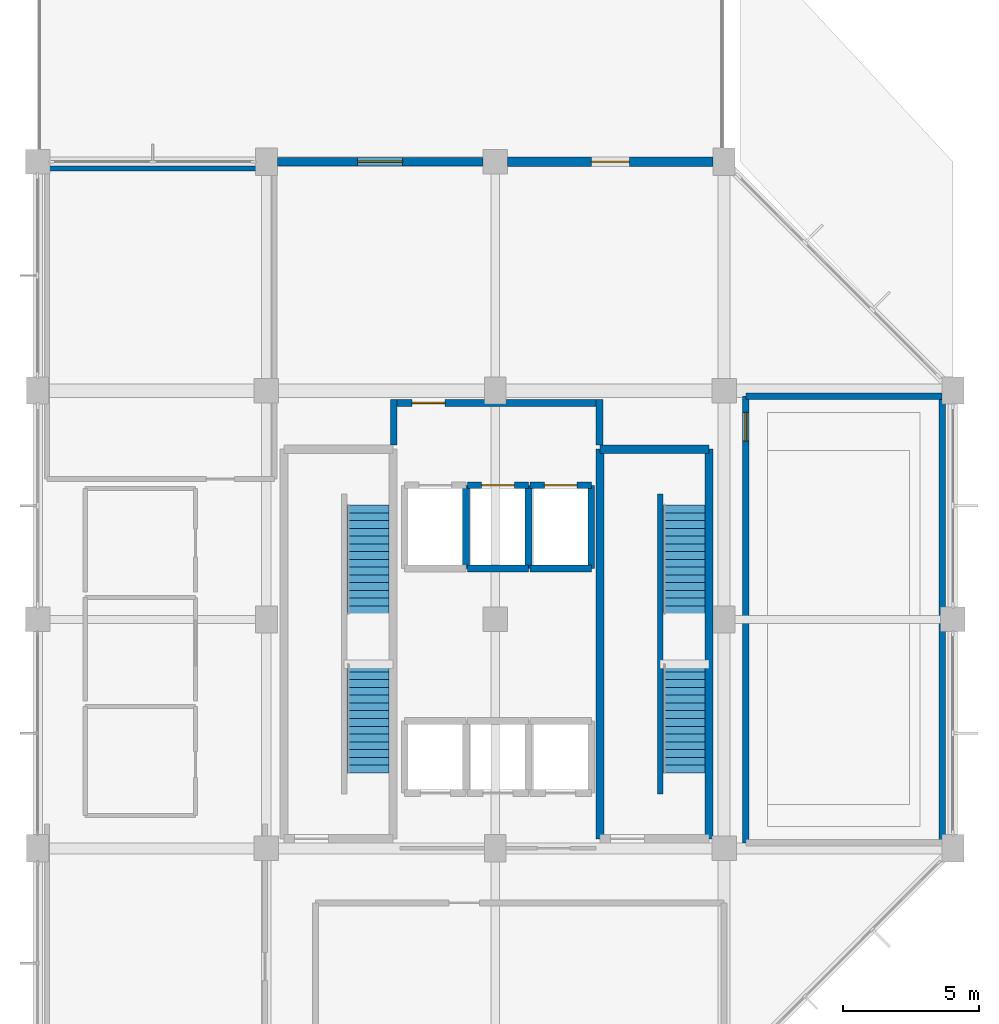
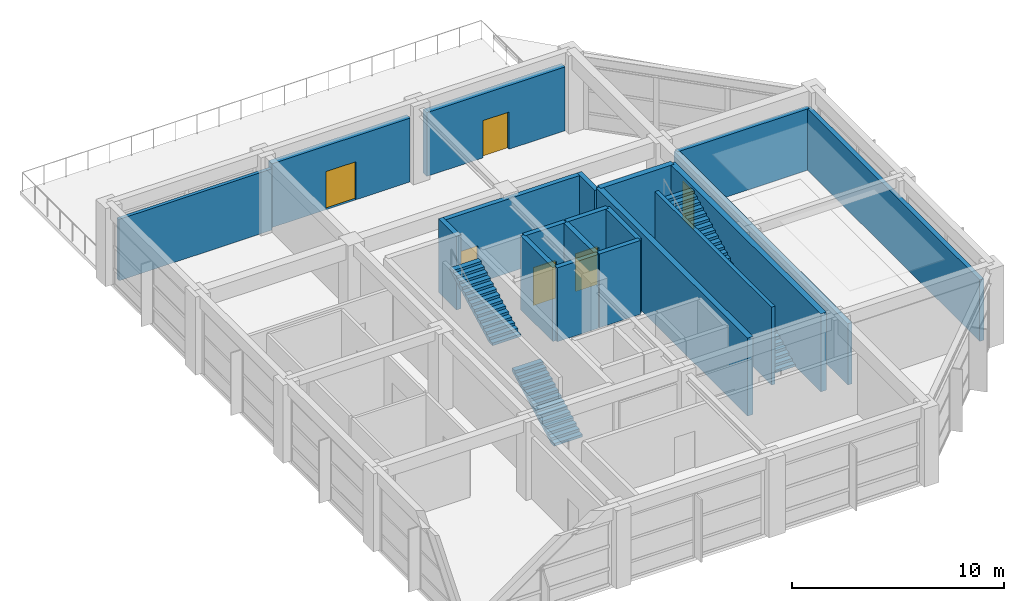
# One storey, part 9 of 10: 20 walls, 6 doors, 4 stair flights, 6 openings, 2 elements without a shape of their own.
"""IFC4 building model written with IfcOpenShell, lengths in metres."""

from ifc_helpers import new_model, si_unit, direction, frame, frame_2d, origin, place, context, subcontext, project, spatial, polyline, rectangle, outline, extrude, material, layer, layer_set, type_object, element, fill, aggregate, save


model = new_model("IFC4")

# Units and contexts
model_context = context("Model", 3, precision=1e-05, world=origin(), true_north=direction((0.0, 1.0)))
body_context = subcontext(model_context, "Body", "Model", "MODEL_VIEW")
ifc_project = project(units=[si_unit("LENGTHUNIT", "METRE"), si_unit("AREAUNIT", "SQUARE_METRE"), si_unit("VOLUMEUNIT", "CUBIC_METRE"), si_unit("PLANEANGLEUNIT", "RADIAN"), si_unit("MASSUNIT", "GRAM", prefix="KILO")], contexts=[model_context])

# Site, building, storey
site_placement = place(None, origin())
site = spatial("IfcSite", under=ifc_project, at=site_placement, CompositionType="ELEMENT")
building_placement = place(site_placement, origin())
building = spatial("IfcBuilding", under=site, at=building_placement, Name="Xuanlan Plaza Opera House", CompositionType="ELEMENT")
storey_placement = place(building_placement, frame((0.0, 0.0, 69.89990234375)))
storey = spatial("IfcBuildingStorey", under=building, at=storey_placement, Name="L16", CompositionType="ELEMENT", Elevation=69.89990234375)

# Wall, opening, door
ifc_material_1 = material(Name="Anodised Aluminium 6063-T6 and Rockwool Cladding", Category="aluminium")
ifc_layer_1 = layer(ifc_material_1, 0.340087890625)
ifc_layer_set_1 = layer_set([ifc_layer_1], Name="Anodised Aluminium 6063-T6 and Rockwool Cladding")
wall_type_1 = type_object("IfcWallType", Name="ENV-WL-EW-02", PredefinedType="STANDARD", material=ifc_layer_set_1)
wall_1_placement = place(storey_placement, frame((150.800048828125, 75.60009765625, 0.0), z_axis=(0.0, 0.0, 1.0), x_axis=(-1.0, 0.0, 0.0)))
wall_1 = element("IfcWall", 1, at=wall_1_placement, inside=storey, type_object=wall_type_1, Name="Exterior Wall L16-008", PredefinedType="STANDARD", context=body_context, shape_type="SweptSolid", body=[
    extrude(rectangle(XDim=7.550048828125, YDim=0.340087890625, at=frame_2d((3.77490234375, 0.0))), origin(), (0.0, 0.0, 1.0), 3.68017578125),
])
opening_1_placement = place(wall_1_placement, frame((3.074951171875, 0.0, 0.0)))
opening_1 = element("IfcOpeningElement", 2, at=opening_1_placement, cuts=wall_1, Name="Opening TD-03", PredefinedType="OPENING", context=body_context, shape_type="SweptSolid", body=[
    extrude(rectangle(XDim=1.39990234375, YDim=2.14990234375, at=frame_2d((0.699951171875, 1.074951171875))), frame((0.0, 0.179931640625, 0.0), z_axis=(0.0, -1.0, 0.0), x_axis=(1.0, 0.0, 0.0)), (0.0, 0.0, 1.0), 0.360107421875),
])
ifc_material_2 = material(Name="Anodised Aluminium 6063-T6 and Laminated Safety Glass", Category="aluminium")
door_type_1 = type_object("IfcDoorType", Name="ENV-DR-TD-03", OperationType="DOUBLE_DOOR_SINGLE_SWING", PredefinedType="DOOR", material=ifc_material_2)
door_1_placement = place(opening_1_placement, frame((1.39990234375, 0.0, 0.0), z_axis=(0.0, 0.0, 1.0), x_axis=(-1.0, 0.0, 0.0)))
door_1 = element("IfcDoor", 3, at=door_1_placement, inside=storey, type_object=door_type_1, Name="Terrace Access Door TERR-L16-08", OperationType="DOUBLE_DOOR_SINGLE_SWING", OverallHeight=2.14990234375, OverallWidth=1.39990234375, PredefinedType="DOOR", context=body_context, shape_type="SweptSolid", body=[
    extrude(rectangle(XDim=1.39990234375, YDim=2.14990234375, at=frame_2d((0.699951171875, 1.074951171875))), frame((0.0, 0.02490234375, 0.0), z_axis=(0.0, -1.0, 0.0), x_axis=(1.0, 0.0, 0.0)), (0.0, 0.0, 1.0), 0.050048828125),
])
fill(opening_1, door_1)

ifc_layer_2 = layer(ifc_material_1, 0.320068359375)
ifc_layer_set_2 = layer_set([ifc_layer_2], Name="Anodised Aluminium 6063-T6 and Rockwool Cladding")
wall_type_2 = type_object("IfcWallType", Name="ENV-WL-EW-03", PredefinedType="STANDARD", material=ifc_layer_set_2)
wall_2_placement = place(storey_placement, frame((142.35009765625, 75.60009765625, 0.0), z_axis=(0.0, 0.0, 1.0), x_axis=(-1.0, 0.0, 0.0)))
wall_2 = element("IfcWall", 4, at=wall_2_placement, inside=storey, type_object=wall_type_2, Name="Exterior Wall L16-009", PredefinedType="STANDARD", context=body_context, shape_type="SweptSolid", body=[
    extrude(rectangle(XDim=7.550048828125, YDim=0.320068359375, at=frame_2d((3.77490234375, 0.0))), origin(), (0.0, 0.0, 1.0), 3.68017578125),
])
opening_2_placement = place(wall_2_placement, frame((2.949951171875, 0.0, 0.0)))
opening_2 = element("IfcOpeningElement", 5, at=opening_2_placement, cuts=wall_2, Name="Opening TD-01", PredefinedType="OPENING", context=body_context, shape_type="SweptSolid", body=[
    extrude(rectangle(XDim=1.64990234375, YDim=2.199951171875, at=frame_2d((0.824951171875, 1.10009765625))), frame((0.0, 0.169921875, 0.0), z_axis=(0.0, -1.0, 0.0), x_axis=(1.0, 0.0, 0.0)), (0.0, 0.0, 1.0), 0.340087890625),
])
door_type_2 = type_object("IfcDoorType", Name="ENV-DR-TD-01", OperationType="DOUBLE_DOOR_SINGLE_SWING", PredefinedType="DOOR", material=ifc_material_2)
door_2_placement = place(opening_2_placement, frame((1.64990234375, 0.0, 0.0), z_axis=(0.0, 0.0, 1.0), x_axis=(-1.0, 0.0, 0.0)))
door_2 = element("IfcDoor", 6, at=door_2_placement, inside=storey, type_object=door_type_2, Name="Terrace Access Door TERR-L16-09", OperationType="DOUBLE_DOOR_SINGLE_SWING", OverallHeight=2.199951171875, OverallWidth=1.64990234375, PredefinedType="DOOR", context=body_context, shape_type="SweptSolid", body=[
    extrude(rectangle(XDim=1.64990234375, YDim=2.199951171875, at=frame_2d((0.824951171875, 1.10009765625))), frame((0.0, 0.02490234375, 0.0), z_axis=(0.0, -1.0, 0.0), x_axis=(1.0, 0.0, 0.0)), (0.0, 0.0, 1.0), 0.050048828125),
])
fill(opening_2, door_2)

# Wall
ifc_material_3 = material(Name="Gypsum Board and Galvanised Steel Studs", Category="gypsum")
ifc_layer_3 = layer(ifc_material_3, 0.239990234375)
ifc_layer_set_3 = layer_set([ifc_layer_3], Name="Gypsum Board and Galvanised Steel Studs")
wall_type_3 = type_object("IfcWallType", Name="INT-WL-PW-01", PredefinedType="PARTITIONING", material=ifc_layer_set_3)
wall_3_placement = place(storey_placement, frame((152.0, 67.0, 0.0), z_axis=(0.0, 0.0, 1.0), x_axis=(1.0, 0.0, 0.0)))
element("IfcWall", 7, at=wall_3_placement, inside=storey, type_object=wall_type_3, Name="Overture Chamber Salon Wall North", PredefinedType="PARTITIONING", context=body_context, shape_type="SweptSolid", body=[
    extrude(rectangle(XDim=7.199951171875, YDim=0.239990234375, at=frame_2d((3.60009765625, 0.0))), origin(), (0.0, 0.0, 1.0), 3.5400390625),
])

# Wall, opening, door
wall_4_placement = place(storey_placement, frame((152.0, 50.60009765625, 0.0), z_axis=(0.0, 0.0, 1.0), x_axis=(0.0, 1.0, 0.0)))
wall_4 = element("IfcWall", 8, at=wall_4_placement, inside=storey, type_object=wall_type_3, Name="Overture Chamber Salon Wall West", PredefinedType="PARTITIONING", context=body_context, shape_type="SweptSolid", body=[
    extrude(rectangle(XDim=16.39990234375, YDim=0.239990234375, at=frame_2d((8.199951171875, 0.0))), origin(), (0.0, 0.0, 1.0), 3.5400390625),
])
opening_3_placement = place(wall_4_placement, frame((14.75, 0.0, 0.0)))
opening_3 = element("IfcOpeningElement", 9, at=opening_3_placement, cuts=wall_4, Name="Opening D-16", PredefinedType="OPENING", context=body_context, shape_type="SweptSolid", body=[
    extrude(rectangle(XDim=1.050048828125, YDim=2.159912109375, at=frame_2d((0.52490234375, 1.080078125))), frame((0.0, 0.1298828125, 0.0), z_axis=(0.0, -1.0, 0.0), x_axis=(1.0, 0.0, 0.0)), (0.0, 0.0, 1.0), 0.260009765625),
])
ifc_material_4 = material(Name="Oak Hardwood Timber", Category="wood")
door_type_3 = type_object("IfcDoorType", Name="INT-DR-D-16", OperationType="NOTDEFINED", PredefinedType="DOOR", material=ifc_material_4)
door_3_placement = place(opening_3_placement, origin())
door_3 = element("IfcDoor", 10, at=door_3_placement, inside=storey, type_object=door_type_3, Name="Overture Chamber Salon Door 1", OperationType="SINGLE_SWING_RIGHT", OverallHeight=2.159912109375, OverallWidth=1.050048828125, PredefinedType="DOOR", context=body_context, shape_type="SweptSolid", body=[
    extrude(rectangle(XDim=1.050048828125, YDim=2.159912109375, at=frame_2d((0.52490234375, 1.080078125))), frame((0.0, 0.02490234375, 0.0), z_axis=(0.0, -1.0, 0.0), x_axis=(1.0, 0.0, 0.0)), (0.0, 0.0, 1.0), 0.050048828125),
])
fill(opening_3, door_3)

# Walls
wall_5_placement = place(storey_placement, frame((159.199951171875, 50.60009765625, 0.0), z_axis=(0.0, 0.0, 1.0), x_axis=(0.0, 1.0, 0.0)))
element("IfcWall", 11, at=wall_5_placement, inside=storey, type_object=wall_type_3, Name="Overture Chamber Salon Wall East", PredefinedType="PARTITIONING", context=body_context, shape_type="SweptSolid", body=[
    extrude(rectangle(XDim=16.39990234375, YDim=0.239990234375, at=frame_2d((8.199951171875, 0.0))), origin(), (0.0, 0.0, 1.0), 3.5400390625),
])
ifc_layer_4 = layer(ifc_material_3, 0.179931640625)
ifc_layer_set_4 = layer_set([ifc_layer_4], Name="Gypsum Board and Galvanised Steel Studs")
wall_type_4 = type_object("IfcWallType", Name="INT-WL-PW-02", PredefinedType="PARTITIONING", material=ifc_layer_set_4)
wall_6_placement = place(storey_placement, frame((126.35009765625, 75.35009765625, 0.0), z_axis=(0.0, 0.0, 1.0), x_axis=(1.0, 0.0, 0.0)))
element("IfcWall", 12, at=wall_6_placement, inside=storey, type_object=wall_type_4, Name="Crown Artist Green Studio Wall North", PredefinedType="PARTITIONING", context=body_context, shape_type="SweptSolid", body=[
    extrude(rectangle(XDim=8.349853515625, YDim=0.179931640625, at=frame_2d((4.1748046875, 0.0))), origin(), (0.0, 0.0, 1.0), 3.5400390625),
])
ifc_material_5 = material(Name="Concrete C40", Category="concrete")
ifc_layer_5 = layer(ifc_material_5, 0.25)
ifc_layer_set_5 = layer_set([ifc_layer_5], Name="Concrete C40")
wall_type_5 = type_object("IfcWallType", Name="INT-WL-SW-LF1", PredefinedType="SHEAR", material=ifc_layer_set_5)
wall_7_placement = place(storey_placement, frame((141.72509765625, 60.675048828125, 0.0), z_axis=(0.0, 0.0, 1.0), x_axis=(0.0, 1.0, 0.0)))
element("IfcWall", 13, at=wall_7_placement, inside=storey, type_object=wall_type_5, Name="Lift Shaft Wall LF-FF1 L16 East", PredefinedType="SHEAR", context=body_context, shape_type="SweptSolid", body=[
    extrude(rectangle(XDim=3.050048828125, YDim=0.25, at=frame_2d((1.52490234375, 0.0))), origin(), (0.0, 0.0, 1.0), 4.260009765625),
])
wall_8_placement = place(storey_placement, frame((141.77490234375, 60.675048828125, 0.0), z_axis=(0.0, 0.0, 1.0), x_axis=(1.0, 0.0, 0.0)))
element("IfcWall", 14, at=wall_8_placement, inside=storey, type_object=wall_type_5, Name="Lift Shaft Wall LF-FF2 L16 South", PredefinedType="SHEAR", context=body_context, shape_type="SweptSolid", body=[
    extrude(rectangle(XDim=2.25, YDim=0.25, at=frame_2d((1.125, 0.0))), origin(), (0.0, 0.0, 1.0), 4.260009765625),
])

# Wall, opening, door
wall_9_placement = place(storey_placement, frame((141.77490234375, 63.72509765625, 0.0), z_axis=(0.0, 0.0, 1.0), x_axis=(1.0, 0.0, 0.0)))
wall_9 = element("IfcWall", 15, at=wall_9_placement, inside=storey, type_object=wall_type_5, Name="Lift Shaft Wall LF-FF2 L16 North", PredefinedType="SHEAR", context=body_context, shape_type="SweptSolid", body=[
    extrude(rectangle(XDim=2.25, YDim=0.25, at=frame_2d((1.125, 0.0))), origin(), (0.0, 0.0, 1.0), 4.260009765625),
])
opening_4_placement = place(wall_9_placement, frame((0.52490234375, 0.0, 0.0)))
opening_4 = element("IfcOpeningElement", 16, at=opening_4_placement, cuts=wall_9, Name="Opening LD-FF2-L16", PredefinedType="OPENING", context=body_context, shape_type="SweptSolid", body=[
    extrude(rectangle(XDim=1.199951171875, YDim=2.179931640625, at=frame_2d((0.60009765625, 1.08984375))), frame((0.0, 0.135009765625, 0.0), z_axis=(0.0, -1.0, 0.0), x_axis=(1.0, 0.0, 0.0)), (0.0, 0.0, 1.0), 0.27001953125),
])
ifc_material_6 = material(Name="Stainless Steel S30408", Category="steel")
door_type_4 = type_object("IfcDoorType", Name="INT-DR-LD-02", OperationType="DOUBLE_DOOR_SLIDING", PredefinedType="DOOR", material=ifc_material_6)
door_4_placement = place(opening_4_placement, origin())
door_4 = element("IfcDoor", 17, at=door_4_placement, inside=storey, type_object=door_type_4, Name="Lift Sliding Landing Door LF-FF2 L16", OperationType="DOUBLE_DOOR_SLIDING", OverallHeight=2.179931640625, OverallWidth=1.199951171875, PredefinedType="DOOR", context=body_context, shape_type="SweptSolid", body=[
    extrude(rectangle(XDim=1.199951171875, YDim=2.179931640625, at=frame_2d((0.60009765625, 1.08984375))), frame((0.0, 0.02490234375, 0.0), z_axis=(0.0, -1.0, 0.0), x_axis=(1.0, 0.0, 0.0)), (0.0, 0.0, 1.0), 0.050048828125),
])
fill(opening_4, door_4)

# Walls
wall_10_placement = place(storey_placement, frame((144.02490234375, 60.675048828125, 0.0), z_axis=(0.0, 0.0, 1.0), x_axis=(0.0, 1.0, 0.0)))
element("IfcWall", 18, at=wall_10_placement, inside=storey, type_object=wall_type_5, Name="Lift Shaft Wall LF-FF2 L16 East", PredefinedType="SHEAR", context=body_context, shape_type="SweptSolid", body=[
    extrude(rectangle(XDim=3.050048828125, YDim=0.25, at=frame_2d((1.52490234375, 0.0))), origin(), (0.0, 0.0, 1.0), 4.260009765625),
])
wall_11_placement = place(storey_placement, frame((144.074951171875, 60.675048828125, 0.0), z_axis=(0.0, 0.0, 1.0), x_axis=(1.0, 0.0, 0.0)))
element("IfcWall", 19, at=wall_11_placement, inside=storey, type_object=wall_type_5, Name="Lift Shaft Wall LF-FF3 L16 South", PredefinedType="SHEAR", context=body_context, shape_type="SweptSolid", body=[
    extrude(rectangle(XDim=2.25, YDim=0.25, at=frame_2d((1.125, 0.0))), origin(), (0.0, 0.0, 1.0), 4.260009765625),
])

# Wall, opening, door
wall_12_placement = place(storey_placement, frame((144.074951171875, 63.72509765625, 0.0), z_axis=(0.0, 0.0, 1.0), x_axis=(1.0, 0.0, 0.0)))
wall_12 = element("IfcWall", 20, at=wall_12_placement, inside=storey, type_object=wall_type_5, Name="Lift Shaft Wall LF-FF3 L16 North", PredefinedType="SHEAR", context=body_context, shape_type="SweptSolid", body=[
    extrude(rectangle(XDim=2.25, YDim=0.25, at=frame_2d((1.125, 0.0))), origin(), (0.0, 0.0, 1.0), 4.260009765625),
])
opening_5_placement = place(wall_12_placement, frame((0.52490234375, 0.0, 0.0)))
opening_5 = element("IfcOpeningElement", 21, at=opening_5_placement, cuts=wall_12, Name="Opening LD-FF3-L16", PredefinedType="OPENING", context=body_context, shape_type="SweptSolid", body=[
    extrude(rectangle(XDim=1.199951171875, YDim=2.179931640625, at=frame_2d((0.60009765625, 1.08984375))), frame((0.0, 0.135009765625, 0.0), z_axis=(0.0, -1.0, 0.0), x_axis=(1.0, 0.0, 0.0)), (0.0, 0.0, 1.0), 0.27001953125),
])
door_5_placement = place(opening_5_placement, origin())
door_5 = element("IfcDoor", 22, at=door_5_placement, inside=storey, type_object=door_type_4, Name="Lift Sliding Landing Door LF-FF3 L16", OperationType="DOUBLE_DOOR_SLIDING", OverallHeight=2.179931640625, OverallWidth=1.199951171875, PredefinedType="DOOR", context=body_context, shape_type="SweptSolid", body=[
    extrude(rectangle(XDim=1.199951171875, YDim=2.179931640625, at=frame_2d((0.60009765625, 1.08984375))), frame((0.0, 0.02490234375, 0.0), z_axis=(0.0, -1.0, 0.0), x_axis=(1.0, 0.0, 0.0)), (0.0, 0.0, 1.0), 0.050048828125),
])
fill(opening_5, door_5)

# Walls
wall_13_placement = place(storey_placement, frame((146.324951171875, 60.675048828125, 0.0), z_axis=(0.0, 0.0, 1.0), x_axis=(0.0, 1.0, 0.0)))
element("IfcWall", 23, at=wall_13_placement, inside=storey, type_object=wall_type_5, Name="Lift Shaft Wall LF-FF3 L16 East", PredefinedType="SHEAR", context=body_context, shape_type="SweptSolid", body=[
    extrude(rectangle(XDim=3.050048828125, YDim=0.25, at=frame_2d((1.52490234375, 0.0))), origin(), (0.0, 0.0, 1.0), 4.260009765625),
])
for number, where, z_axis, x_axis, name in (
    (24, (139.074951171875, 65.199951171875, 0.0), (0.0, 0.0, 1.0), (0.0, 1.0, 0.0), "Firefighting Lift Lobby Enclosure Wall L16 W"),
    (25, (146.625, 65.199951171875, 0.0), (0.0, 0.0, 1.0), (0.0, 1.0, 0.0), "Firefighting Lift Lobby Enclosure Wall L16 E"),
):
    element("IfcWall", number, at=place(storey_placement, frame(where, z_axis=z_axis, x_axis=x_axis)), inside=storey, type_object=wall_type_5, Name=name, PredefinedType="SHEAR", context=body_context, shape_type="SweptSolid", body=[
        extrude(rectangle(XDim=1.675048828125, YDim=0.25, at=frame_2d((0.83740234375, 0.0))), origin(), (0.0, 0.0, 1.0), 4.260009765625),
    ])

# Wall, opening, door
wall_14_placement = place(storey_placement, frame((139.199951171875, 66.75, 0.0), z_axis=(0.0, 0.0, 1.0), x_axis=(1.0, 0.0, 0.0)))
wall_14 = element("IfcWall", 26, at=wall_14_placement, inside=storey, type_object=wall_type_5, Name="Firefighting Lift Lobby Wall North", PredefinedType="SHEAR", context=body_context, shape_type="SweptSolid", body=[
    extrude(rectangle(XDim=7.300048828125, YDim=0.25, at=frame_2d((3.64990234375, 0.0))), origin(), (0.0, 0.0, 1.0), 4.260009765625),
])
opening_6_placement = place(wall_14_placement, frame((0.550048828125, 0.0, 0.0)))
opening_6 = element("IfcOpeningElement", 27, at=opening_6_placement, cuts=wall_14, Name="Opening FD-02", PredefinedType="OPENING", context=body_context, shape_type="SweptSolid", body=[
    extrude(rectangle(XDim=1.199951171875, YDim=2.14990234375, at=frame_2d((0.60009765625, 1.074951171875))), frame((0.0, 0.135009765625, 0.0), z_axis=(0.0, -1.0, 0.0), x_axis=(1.0, 0.0, 0.0)), (0.0, 0.0, 1.0), 0.27001953125),
])
ifc_material_7 = material(Name="Galvanised Steel Q235B", Category="steel")
door_type_5 = type_object("IfcDoorType", Name="INT-DR-FD-02", OperationType="NOTDEFINED", PredefinedType="DOOR", material=ifc_material_7)
door_6_placement = place(opening_6_placement, origin())
door_6 = element("IfcDoor", 28, at=door_6_placement, inside=storey, type_object=door_type_5, Name="Firefighting Lift Lobby Door 1", OperationType="SINGLE_SWING_RIGHT", OverallHeight=2.14990234375, OverallWidth=1.199951171875, PredefinedType="DOOR", context=body_context, shape_type="SweptSolid", body=[
    extrude(rectangle(XDim=1.199951171875, YDim=2.14990234375, at=frame_2d((0.60009765625, 1.074951171875))), frame((0.0, 0.02490234375, 0.0), z_axis=(0.0, -1.0, 0.0), x_axis=(1.0, 0.0, 0.0)), (0.0, 0.0, 1.0), 0.050048828125),
])
fill(opening_6, door_6)

# Walls
ifc_layer_6 = layer(ifc_material_5, 0.199951171875)
ifc_layer_set_6 = layer_set([ifc_layer_6], Name="Concrete C40")
wall_type_6 = type_object("IfcWallType", Name="INT-WL-SW-SPN", PredefinedType="SHEAR", material=ifc_layer_set_6)
wall_15_placement = place(storey_placement, frame((148.85009765625, 52.39990234375, 0.0), z_axis=(0.0, 0.0, 1.0), x_axis=(0.0, 1.0, 0.0)))
element("IfcWall", 29, at=wall_15_placement, inside=storey, type_object=wall_type_6, Name="Stair Structural Spine Wall ST-T2 L16", PredefinedType="SHEAR", context=body_context, shape_type="SweptSolid", body=[
    extrude(rectangle(XDim=11.0, YDim=0.199951171875, at=frame_2d((5.5, 0.0))), origin(), (0.0, 0.0, 1.0), 4.5),
])
ifc_layer_7 = layer(ifc_material_5, 0.300048828125)
ifc_layer_set_7 = layer_set([ifc_layer_7], Name="Concrete C40")
wall_type_7 = type_object("IfcWallType", Name="INT-WL-SW-ST1", PredefinedType="SHEAR", material=ifc_layer_set_7)
wall_16_placement = place(storey_placement, frame((146.64990234375, 65.050048828125, 0.0), z_axis=(0.0, 0.0, 1.0), x_axis=(1.0, 0.0, 0.0)))
element("IfcWall", 30, at=wall_16_placement, inside=storey, type_object=wall_type_7, Name="Stair Core Wall ST-T2 L16 North", PredefinedType="SHEAR", context=body_context, shape_type="SweptSolid", body=[
    extrude(rectangle(XDim=4.0, YDim=0.300048828125, at=frame_2d((2.0, 0.0))), origin(), (0.0, 0.0, 1.0), 4.5),
])
for number, where, z_axis, x_axis, name in (
    (31, (146.64990234375, 50.75, 0.0), (0.0, 0.0, 1.0), (0.0, 1.0, 0.0), "Stair Core Wall ST-T2 L16 West"),
    (32, (150.64990234375, 50.75, 0.0), (0.0, 0.0, 1.0), (0.0, 1.0, 0.0), "Stair Core Wall ST-T2 L16 East"),
):
    element("IfcWall", number, at=place(storey_placement, frame(where, z_axis=z_axis, x_axis=x_axis)), inside=storey, type_object=wall_type_7, Name=name, PredefinedType="SHEAR", context=body_context, shape_type="SweptSolid", body=[
        extrude(rectangle(XDim=14.300048828125, YDim=0.300048828125, at=frame_2d((7.14990234375, 0.0))), origin(), (0.0, 0.0, 1.0), 4.5),
    ])

# Stair, stair flights
stair_type = type_object("IfcStairType", Name="INT-ST-STR-T155", PredefinedType="STRAIGHT_RUN_STAIR", material=ifc_material_5)
stair_1_placement = place(storey_placement, origin())
stair_1 = element("IfcStair", 33, at=stair_1_placement, inside=storey, type_object=stair_type, Name="Protected Exit Stair ST-T1 L16", PredefinedType="STRAIGHT_RUN_STAIR")
ifc_layer_8 = layer(ifc_material_5, 0.159912109375)
ifc_layer_set_8 = layer_set([ifc_layer_8], Name="Concrete C40")
stair_flight_type = type_object("IfcStairFlightType", Name="INT-FL-FL-155", PredefinedType="STRAIGHT", material=ifc_layer_set_8)
stair_flight_1_placement = place(storey_placement, frame((138.125, 53.169921875, 0.0), z_axis=(0.0, 0.0, 1.0), x_axis=(0.0, 1.0, 0.0)))
stair_flight_1 = element("IfcStairFlight", 34, at=stair_flight_1_placement, type_object=stair_flight_type, Name="ST-T1-L16 flight 1", NumberOfRisers=15, NumberOfTreads=14, PredefinedType="STRAIGHT", RiserHeight=0.15, TreadLength=0.285, context=body_context, shape_type="SweptSolid", body=[
    extrude(outline(polyline([(0.0, 0.0), (0.0, 0.14990234375), (0.284912109375, 0.14990234375), (0.284912109375, 0.300048828125), (0.570068359375, 0.300048828125), (0.570068359375, 0.449951171875), (0.85498046875, 0.449951171875), (0.85498046875, 0.60009765625), (1.139892578125, 0.60009765625), (1.139892578125, 0.75), (1.425048828125, 0.75), (1.425048828125, 0.89990234375), (1.7099609375, 0.89990234375), (1.7099609375, 1.050048828125), (1.9951171875, 1.050048828125), (1.9951171875, 1.199951171875), (2.280029296875, 1.199951171875), (2.280029296875, 1.35009765625), (2.56494140625, 1.35009765625), (2.56494140625, 1.5), (2.85009765625, 1.5), (2.85009765625, 1.64990234375), (3.135009765625, 1.64990234375), (3.135009765625, 1.800048828125), (3.419921875, 1.800048828125), (3.419921875, 1.949951171875), (3.705078125, 1.949951171875), (3.705078125, 2.10009765625), (3.989990234375, 2.10009765625), (3.989990234375, 2.25), (3.989990234375, 1.919189453125), (0.34326171875, 0.0), (0.0, 0.0)])), frame((0.0, 0.77490234375, 0.0), z_axis=(0.0, -1.0, 0.0), x_axis=(1.0, 0.0, 0.0)), (0.0, 0.0, 1.0), 1.550048828125),
])
stair_flight_2_placement = place(storey_placement, frame((138.125, 59.010009765625, 2.25), z_axis=(0.0, 0.0, 1.0), x_axis=(0.0, 1.0, 0.0)))
stair_flight_2 = element("IfcStairFlight", 35, at=stair_flight_2_placement, type_object=stair_flight_type, Name="ST-T1-L16 flight 2", NumberOfRisers=15, NumberOfTreads=14, PredefinedType="STRAIGHT", RiserHeight=0.15, TreadLength=0.285, context=body_context, shape_type="SweptSolid", body=[
    extrude(outline(polyline([(0.0, 0.0), (0.0, 0.14990234375), (0.284912109375, 0.14990234375), (0.284912109375, 0.300048828125), (0.570068359375, 0.300048828125), (0.570068359375, 0.449951171875), (0.85498046875, 0.449951171875), (0.85498046875, 0.60009765625), (1.139892578125, 0.60009765625), (1.139892578125, 0.75), (1.425048828125, 0.75), (1.425048828125, 0.89990234375), (1.7099609375, 0.89990234375), (1.7099609375, 1.050048828125), (1.9951171875, 1.050048828125), (1.9951171875, 1.199951171875), (2.280029296875, 1.199951171875), (2.280029296875, 1.35009765625), (2.56494140625, 1.35009765625), (2.56494140625, 1.5), (2.85009765625, 1.5), (2.85009765625, 1.64990234375), (3.135009765625, 1.64990234375), (3.135009765625, 1.800048828125), (3.419921875, 1.800048828125), (3.419921875, 1.949951171875), (3.705078125, 1.949951171875), (3.705078125, 2.10009765625), (3.989990234375, 2.10009765625), (3.989990234375, 2.25), (3.989990234375, 1.919189453125), (0.34326171875, 0.0), (0.0, 0.0)])), frame((0.0, 0.77490234375, 0.0), z_axis=(0.0, -1.0, 0.0), x_axis=(1.0, 0.0, 0.0)), (0.0, 0.0, 1.0), 1.550048828125),
])
aggregate(stair_1, [stair_flight_1, stair_flight_2])

stair_2_placement = place(storey_placement, origin())
stair_2 = element("IfcStair", 36, at=stair_2_placement, inside=storey, type_object=stair_type, Name="Protected Exit Stair ST-T2 L16", PredefinedType="STRAIGHT_RUN_STAIR")
stair_flight_3_placement = place(storey_placement, frame((149.72509765625, 53.169921875, 0.0), z_axis=(0.0, 0.0, 1.0), x_axis=(0.0, 1.0, 0.0)))
stair_flight_3 = element("IfcStairFlight", 37, at=stair_flight_3_placement, type_object=stair_flight_type, Name="ST-T2-L16 flight 1", NumberOfRisers=15, NumberOfTreads=14, PredefinedType="STRAIGHT", RiserHeight=0.15, TreadLength=0.285, context=body_context, shape_type="SweptSolid", body=[
    extrude(outline(polyline([(0.0, 0.0), (0.0, 0.14990234375), (0.284912109375, 0.14990234375), (0.284912109375, 0.300048828125), (0.570068359375, 0.300048828125), (0.570068359375, 0.449951171875), (0.85498046875, 0.449951171875), (0.85498046875, 0.60009765625), (1.139892578125, 0.60009765625), (1.139892578125, 0.75), (1.425048828125, 0.75), (1.425048828125, 0.89990234375), (1.7099609375, 0.89990234375), (1.7099609375, 1.050048828125), (1.9951171875, 1.050048828125), (1.9951171875, 1.199951171875), (2.280029296875, 1.199951171875), (2.280029296875, 1.35009765625), (2.56494140625, 1.35009765625), (2.56494140625, 1.5), (2.85009765625, 1.5), (2.85009765625, 1.64990234375), (3.135009765625, 1.64990234375), (3.135009765625, 1.800048828125), (3.419921875, 1.800048828125), (3.419921875, 1.949951171875), (3.705078125, 1.949951171875), (3.705078125, 2.10009765625), (3.989990234375, 2.10009765625), (3.989990234375, 2.25), (3.989990234375, 1.919189453125), (0.34326171875, 0.0), (0.0, 0.0)])), frame((0.0, 0.77490234375, 0.0), z_axis=(0.0, -1.0, 0.0), x_axis=(1.0, 0.0, 0.0)), (0.0, 0.0, 1.0), 1.550048828125),
])
stair_flight_4_placement = place(storey_placement, frame((149.72509765625, 59.010009765625, 2.25), z_axis=(0.0, 0.0, 1.0), x_axis=(0.0, 1.0, 0.0)))
stair_flight_4 = element("IfcStairFlight", 38, at=stair_flight_4_placement, type_object=stair_flight_type, Name="ST-T2-L16 flight 2", NumberOfRisers=15, NumberOfTreads=14, PredefinedType="STRAIGHT", RiserHeight=0.15, TreadLength=0.285, context=body_context, shape_type="SweptSolid", body=[
    extrude(outline(polyline([(0.0, 0.0), (0.0, 0.14990234375), (0.284912109375, 0.14990234375), (0.284912109375, 0.300048828125), (0.570068359375, 0.300048828125), (0.570068359375, 0.449951171875), (0.85498046875, 0.449951171875), (0.85498046875, 0.60009765625), (1.139892578125, 0.60009765625), (1.139892578125, 0.75), (1.425048828125, 0.75), (1.425048828125, 0.89990234375), (1.7099609375, 0.89990234375), (1.7099609375, 1.050048828125), (1.9951171875, 1.050048828125), (1.9951171875, 1.199951171875), (2.280029296875, 1.199951171875), (2.280029296875, 1.35009765625), (2.56494140625, 1.35009765625), (2.56494140625, 1.5), (2.85009765625, 1.5), (2.85009765625, 1.64990234375), (3.135009765625, 1.64990234375), (3.135009765625, 1.800048828125), (3.419921875, 1.800048828125), (3.419921875, 1.949951171875), (3.705078125, 1.949951171875), (3.705078125, 2.10009765625), (3.989990234375, 2.10009765625), (3.989990234375, 2.25), (3.989990234375, 1.919189453125), (0.34326171875, 0.0), (0.0, 0.0)])), frame((0.0, 0.77490234375, 0.0), z_axis=(0.0, -1.0, 0.0), x_axis=(1.0, 0.0, 0.0)), (0.0, 0.0, 1.0), 1.550048828125),
])
aggregate(stair_2, [stair_flight_3, stair_flight_4])

save(model, "model.ifc")
